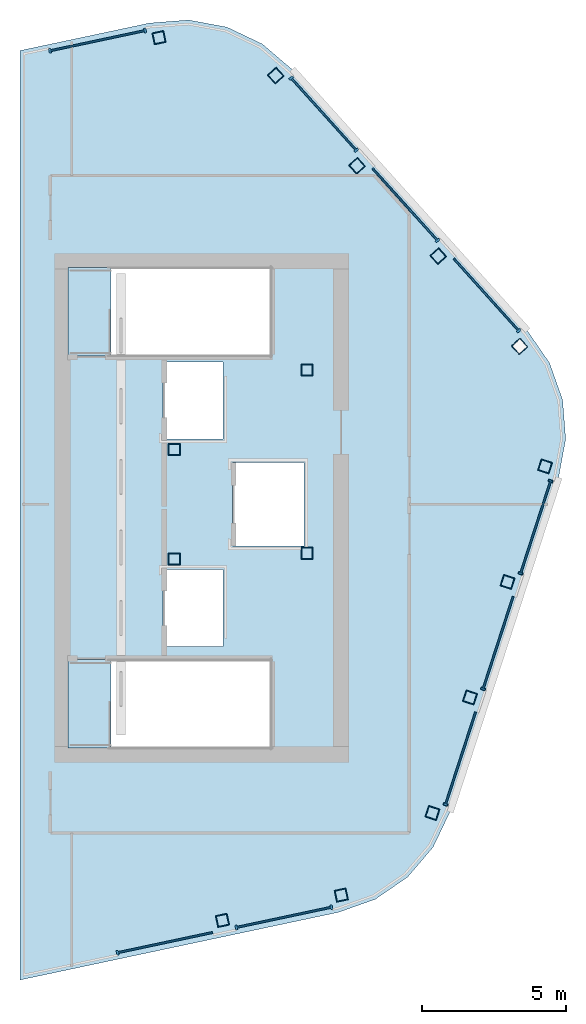
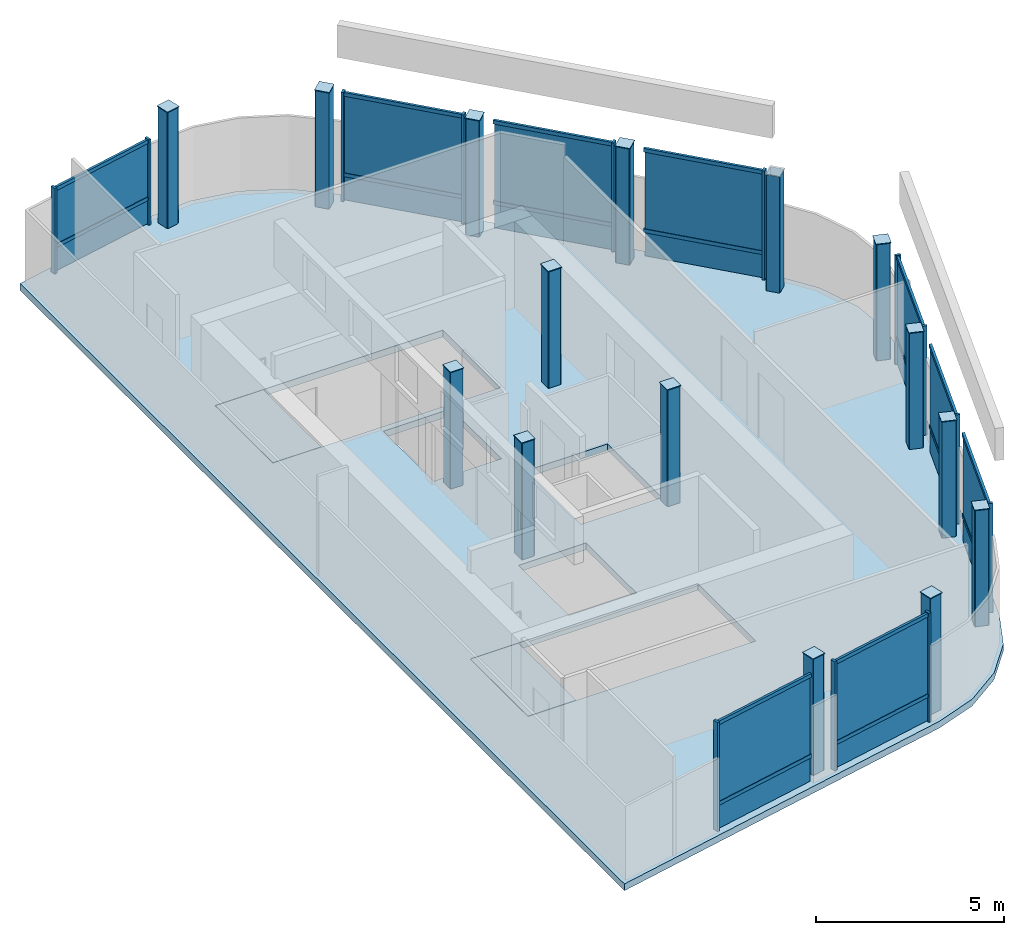
# One storey, part 1 of 3: 31 members, 23 plates, 15 columns, 3 slabs, 4 elements without a shape of their own.
"""IFC4 building model written with IfcOpenShell, lengths in metres."""

import ifcopenshell
import ifcopenshell.guid

model = None  # the IFC model being written
_history = None  # IfcOwnerHistory: only IFC2X3 demands one
_inside = {}  # id of a spatial element -> (the spatial element, [elements in it])
_under = {}  # id of a project, library or spatial element -> (it, [spatial elements below it])
_declared = {}  # id of a project -> (the project, [libraries it declares])
_typed = {}  # id of a type object -> (the type object, [elements of that type])
_made_of = {}  # id of a material, layer set ... -> (it, [elements and type objects made of it])


def new_model(schema):
    """Start an empty IFC model of exactly this schema.

    Asked for "IFC4X3", IfcOpenShell would pick the latest addendum, in which some entities
    have other attributes; the version numbers below select the first issue.
    IFC2X3 requires an IfcOwnerHistory on every rooted entity: one is made here for all.
    """
    global model, _history
    if schema == "IFC4X3":
        model = ifcopenshell.file(schema_version=(4, 3, 0, 0))
    else:
        model = ifcopenshell.file(schema=schema)
    _inside.clear()
    _under.clear()
    _declared.clear()
    _typed.clear()
    _made_of.clear()
    _history = None
    if model.schema == "IFC2X3":
        org = make("IfcOrganization", Name="unknown")
        user = make(
            "IfcPersonAndOrganization",
            ThePerson=make("IfcPerson", FamilyName="unknown"),
            TheOrganization=org,
        )
        app = make(
            "IfcApplication",
            ApplicationDeveloper=org,
            Version="unknown",
            ApplicationFullName="unknown",
            ApplicationIdentifier="unknown",
        )
        _history = make(
            "IfcOwnerHistory",
            OwningUser=user,
            OwningApplication=app,
            ChangeAction="ADDED",
            CreationDate=0,
        )
    return model


def make(cls, **values):
    """One entity of the class cls with the attributes given. An attribute that is None is left unset."""
    return model.create_entity(
        cls, **{name: value for name, value in values.items() if value is not None}
    )


def rooted(cls, **values):
    """An entity with a GlobalId (a new one), such as an element, a storey or a relation."""
    return make(cls, GlobalId=ifcopenshell.guid.new(), OwnerHistory=_history, **values)


def si_unit(unit_type, name, prefix=None):
    """IfcSIUnit, for example si_unit("LENGTHUNIT", "METRE", prefix="MILLI")."""
    return make("IfcSIUnit", UnitType=unit_type, Prefix=prefix, Name=name)


def assignment(units):
    """IfcUnitAssignment: the units of a project."""
    return None if units is None else make("IfcUnitAssignment", Units=units)


def point(xyz):
    """IfcCartesianPoint."""
    return None if xyz is None else make("IfcCartesianPoint", Coordinates=xyz)


def direction(xyz):
    """IfcDirection."""
    return None if xyz is None else make("IfcDirection", DirectionRatios=xyz)


def frame(location, z_axis=None, x_axis=None):
    """IfcAxis2Placement3D, a coordinate frame: its origin and axes. An axis left out is left unset."""
    return make(
        "IfcAxis2Placement3D",
        Location=point(location),
        Axis=direction(z_axis),
        RefDirection=direction(x_axis),
    )


def frame_2d(location, x_axis=None):
    """IfcAxis2Placement2D, a coordinate frame in the plane: its origin and x axis."""
    return make(
        "IfcAxis2Placement2D", Location=point(location), RefDirection=direction(x_axis)
    )


def origin():
    """The frame at (0, 0, 0) with its axes left unset."""
    return frame((0.0, 0.0, 0.0))


def origin_2d():
    """The frame at (0, 0) in the plane with its x axis left unset."""
    return frame_2d((0.0, 0.0))


def place(relative_to, where):
    """IfcLocalPlacement: puts the frame where relative to a parent placement (None: the world)."""
    return make(
        "IfcLocalPlacement", PlacementRelTo=relative_to, RelativePlacement=where
    )


def context(
    kind, dimensions, precision=None, world=None, true_north=None, identifier=None
):
    """IfcGeometricRepresentationContext, for example the 3D "Model" context."""
    return make(
        "IfcGeometricRepresentationContext",
        ContextIdentifier=identifier,
        ContextType=kind,
        CoordinateSpaceDimension=dimensions,
        Precision=precision,
        WorldCoordinateSystem=world,
        TrueNorth=true_north,
    )


def subcontext(parent, identifier, kind, view, scale=None):
    """IfcGeometricRepresentationSubContext, for example "Body" below "Model"."""
    return make(
        "IfcGeometricRepresentationSubContext",
        ContextIdentifier=identifier,
        ContextType=kind,
        ParentContext=parent,
        TargetScale=scale,
        TargetView=view,
    )


def project(units=None, contexts=None):
    """IfcProject with its units and contexts."""
    return rooted(
        "IfcProject",
        Name="project",
        RepresentationContexts=contexts,
        UnitsInContext=assignment(units),
    )


def spatial(cls, under=None, at=None, **own):
    """A site, building, storey or space (cls), placed at a placement, below another one or the project."""
    s = rooted(cls, ObjectPlacement=at, **own)
    if under is not None:
        _under.setdefault(under.id(), (under, []))[1].append(s)
    return s


def polyline(points):
    """IfcPolyline through the points."""
    return make("IfcPolyline", Points=[point(p) for p in points])


def profile(cls, at=None, kind="AREA", **sizes):
    """A parametric profile (cls). Its sizes go by their IFC names, for example OverallWidth=200.0."""
    return make(cls, ProfileType=kind, Position=at, **sizes)


def rectangle(**sizes):
    """IfcRectangleProfileDef."""
    return profile("IfcRectangleProfileDef", **sizes)


def hollow_rectangle(**sizes):
    """IfcRectangleHollowProfileDef."""
    return profile("IfcRectangleHollowProfileDef", **sizes)


def outline(outer, holes=None, kind="AREA"):
    """IfcArbitraryClosedProfileDef: a profile drawn as a closed curve; with holes, ...WithVoids."""
    if holes is None:
        return make("IfcArbitraryClosedProfileDef", ProfileType=kind, OuterCurve=outer)
    return make(
        "IfcArbitraryProfileDefWithVoids",
        ProfileType=kind,
        OuterCurve=outer,
        InnerCurves=holes,
    )


def extrude(swept, where, along, depth):
    """IfcExtrudedAreaSolid: the profile swept, set in the frame where, extruded along a direction by depth."""
    return make(
        "IfcExtrudedAreaSolid",
        SweptArea=swept,
        Position=where,
        ExtrudedDirection=direction(along),
        Depth=depth,
    )


def shape(context_of_items, identifier, shape_type, items):
    """IfcShapeRepresentation: the items that make up one representation, for example the "Body"."""
    return make(
        "IfcShapeRepresentation",
        ContextOfItems=context_of_items,
        RepresentationIdentifier=identifier,
        RepresentationType=shape_type,
        Items=items,
    )


def material(Name=None, Category=None):
    """IfcMaterial."""
    return make("IfcMaterial", Name=Name, Category=Category)


def layer(
    of_material, thickness, ventilated=None, Name=None, Category=None, Priority=None
):
    """IfcMaterialLayer: one layer of a wall or slab, of a material (None: an air gap)."""
    return make(
        "IfcMaterialLayer",
        Material=of_material,
        LayerThickness=thickness,
        IsVentilated=ventilated,
        Name=Name,
        Category=Category,
        Priority=Priority,
    )


def layer_set(layers, Name=None):
    """IfcMaterialLayerSet."""
    return make("IfcMaterialLayerSet", MaterialLayers=layers, LayerSetName=Name)


def material_profile(
    of_material, cross_section, Name=None, Category=None, Priority=None
):
    """IfcMaterialProfile: a cross section and its material."""
    return make(
        "IfcMaterialProfile",
        Name=Name,
        Material=of_material,
        Profile=cross_section,
        Priority=Priority,
        Category=Category,
    )


def profile_set(profiles, Name=None, composite=None):
    """IfcMaterialProfileSet."""
    return make(
        "IfcMaterialProfileSet",
        Name=Name,
        MaterialProfiles=profiles,
        CompositeProfile=composite,
    )


def made_of(thing, what):
    """Note that an element or type object is made of a material, layer set ...; save() writes the relation."""
    if what is not None:
        _made_of.setdefault(what.id(), (what, []))[1].append(thing)
    return thing


def type_object(cls, material=None, **own):
    """A type object (cls), such as IfcWallType, which elements share."""
    return made_of(rooted(cls, **own), material)


def element(
    cls,
    number,
    at=None,
    inside=None,
    cuts=None,
    type_object=None,
    material=None,
    context=None,
    identifier="Body",
    shape_type=None,
    held_by="IfcProductDefinitionShape",
    body=None,
    shapes=None,
    **own,
):
    """One element of the class cls, such as IfcWall. Its Tag is "e" and its number.

    at: its placement. inside: the storey or other place that contains it. cuts: it is an
    opening in that element (IfcRelVoidsElement). A single representation is given by context,
    identifier, shape_type and body (its items); several are given by shapes. held_by: the class
    of the entity that holds the representations. save() writes the other relations.
    """
    e = rooted(cls, Tag="e%d" % number, ObjectPlacement=at, **own)
    if body is not None:
        shapes = [shape(context, identifier, shape_type, body)]
    if shapes is not None:
        e.Representation = make(held_by, Representations=shapes)
    if inside is not None:
        _inside.setdefault(inside.id(), (inside, []))[1].append(e)
    if cuts is not None:
        rooted(
            "IfcRelVoidsElement", RelatingBuildingElement=cuts, RelatedOpeningElement=e
        )
    if type_object is not None:
        _typed.setdefault(type_object.id(), (type_object, []))[1].append(e)
    return made_of(e, material)


def aggregate(whole, parts):
    """IfcRelAggregates: a whole, such as a stair, and the parts it consists of."""
    return rooted("IfcRelAggregates", RelatingObject=whole, RelatedObjects=parts)


def save(model, path):
    """Write the relations noted so far, then the file.

    IfcRelAggregates (storeys below a building ...), IfcRelContainedInSpatialStructure (elements
    in a storey), IfcRelDefinesByType, IfcRelAssociatesMaterial and IfcRelDeclares: one each for
    every whole, place, type object, material and project.
    """
    for whole, parts in _under.values():
        aggregate(whole, parts)
    for where, things in _inside.values():
        rooted(
            "IfcRelContainedInSpatialStructure",
            RelatedElements=things,
            RelatingStructure=where,
        )
    for kind, things in _typed.values():
        rooted("IfcRelDefinesByType", RelatedObjects=things, RelatingType=kind)
    for what, things in _made_of.values():
        rooted("IfcRelAssociatesMaterial", RelatedObjects=things, RelatingMaterial=what)
    for by, libraries in _declared.values():
        rooted("IfcRelDeclares", RelatingContext=by, RelatedDefinitions=libraries)
    model.write(path)


model = new_model("IFC4")

# Units and contexts
model_context = context("Model", 3, precision=1e-05, world=origin(), true_north=direction((0.0, 1.0)))
body_context = subcontext(model_context, "Body", "Model", "MODEL_VIEW")
ifc_project = project(units=[si_unit("LENGTHUNIT", "METRE"), si_unit("AREAUNIT", "SQUARE_METRE"), si_unit("VOLUMEUNIT", "CUBIC_METRE"), si_unit("PLANEANGLEUNIT", "RADIAN"), si_unit("MASSUNIT", "GRAM", prefix="KILO")], contexts=[model_context])

# Site, building, storey
site_placement = place(None, origin())
site = spatial("IfcSite", under=ifc_project, at=site_placement, CompositionType="ELEMENT")
building_placement = place(site_placement, origin())
building = spatial("IfcBuilding", under=site, at=building_placement, Name="Valkerne Bourse Tower", CompositionType="ELEMENT")
storey_placement = place(building_placement, frame((0.0, 0.0, 334.39990234375)))
storey = spatial("IfcBuildingStorey", under=building, at=storey_placement, Name="L85", CompositionType="ELEMENT", Elevation=334.39990234375)

# Columns
ifc_material_1 = material(Name="Steel ASTM A500 Grade C", Category="steel")
ifc_material_profile_1 = material_profile(ifc_material_1, hollow_rectangle(XDim=0.39990234375, YDim=0.39990234375, WallThickness=0.01611328125, OuterFilletRadius=0.031982421875, at=origin_2d()), Name="HSS400X400X16")
ifc_profile_set_1 = profile_set([ifc_material_profile_1], Name="Steel ASTM A500 Grade C")
column_type = type_object("IfcColumnType", Name="COL-HSS400X400X16", PredefinedType="COLUMN", material=ifc_profile_set_1)
for number, where, z_axis, x_axis, name in (
    (1, (50.35009765625, 25.10009765625, 0.005126953125), (0.0, 0.0, 1.0), (1.0, 0.0, 0.0), "L85 Core Frame Column CC-CE1"),
    (2, (50.35009765625, 28.89990234375, 0.005126953125), (0.0, 0.0, 1.0), (1.0, 0.0, 0.0), "L85 Core Frame Column CC-CE2"),
    (3, (54.949951171875, 25.300048828125, 0.005126953125), (0.0, 0.0, 1.0), (1.0, 0.0, 0.0), "L85 Core Frame Column CC-SE"),
    (4, (54.949951171875, 31.64990234375, 0.005126953125), (0.0, 0.0, 1.0), (1.0, 0.0, 0.0), "L85 Core Frame Column CC-NE"),
):
    element("IfcColumn", number, at=place(storey_placement, frame(where, z_axis=z_axis, x_axis=x_axis)), inside=storey, type_object=column_type, Name=name, PredefinedType="COLUMN", context=body_context, shape_type="SweptSolid", body=[
        extrude(hollow_rectangle(XDim=0.39990234375, YDim=0.39990234375, WallThickness=0.01611328125, OuterFilletRadius=0.031982421875, at=origin_2d()), origin(), (0.0, 0.0, 1.0), 3.794921875),
    ])
for number, where, z_axis, x_axis, name in (
    (5, (49.81982421875, 43.18017578125, 0.010009765625), (0.0, 0.0, 1.0), (-0.978147600734, -0.207911690818, 0.0), "L85 Helical Perimeter Tube Column F1-C1"),
    (6, (52.02001953125, 12.5712890625, 0.010009765625), (0.0, 0.0, 1.0), (0.978147600734, 0.207911690818, 0.0), "L85 Helical Perimeter Tube Column F4-C3"),
    (7, (56.139892578125, 13.447021484375, 0.010009765625), (0.0, 0.0, 1.0), (0.978147600734, 0.207911690818, 0.0), "L85 Helical Perimeter Tube Column F4-C4"),
    (8, (59.302490234375, 16.294677734375, 0.010009765625), (0.0, 0.0, 1.0), (0.309016994375, 0.951056516295, 0.0), "L85 Helical Perimeter Tube Column F5-C1"),
    (9, (60.60400390625, 20.30029296875, 0.010009765625), (0.0, 0.0, 1.0), (0.309016994375, 0.951056516295, 0.0), "L85 Helical Perimeter Tube Column F5-C2"),
    (10, (61.90576171875, 24.306396484375, 0.010009765625), (0.0, 0.0, 1.0), (0.309016994375, 0.951056516295, 0.0), "L85 Helical Perimeter Tube Column F5-C3"),
    (11, (63.207275390625, 28.31201171875, 0.010009765625), (0.0, 0.0, 1.0), (0.309016994375, 0.951056516295, 0.0), "L85 Helical Perimeter Tube Column F5-C4"),
    (12, (62.322509765625, 32.474853515625, 0.010009765625), (0.0, 0.0, 1.0), (-0.669130606359, 0.743144825477, 0.0), "L85 Helical Perimeter Tube Column F6-C1"),
    (13, (59.504150390625, 35.60498046875, 0.010009765625), (0.0, 0.0, 1.0), (-0.669130606359, 0.743144825477, 0.0), "L85 Helical Perimeter Tube Column F6-C2"),
    (14, (56.685791015625, 38.735107421875, 0.010009765625), (0.0, 0.0, 1.0), (-0.669130606359, 0.743144825477, 0.0), "L85 Helical Perimeter Tube Column F6-C3"),
    (15, (53.8671875, 41.864990234375, 0.010009765625), (0.0, 0.0, 1.0), (-0.669130606359, 0.743144825477, 0.0), "L85 Helical Perimeter Tube Column F6-C4"),
):
    element("IfcColumn", number, at=place(storey_placement, frame(where, z_axis=z_axis, x_axis=x_axis)), inside=storey, type_object=column_type, Name=name, PredefinedType="COLUMN", context=body_context, shape_type="SweptSolid", body=[
        extrude(hollow_rectangle(XDim=0.39990234375, YDim=0.39990234375, WallThickness=0.01611328125, OuterFilletRadius=0.031982421875, at=origin_2d()), origin(), (0.0, 0.0, 1.0), 3.781005859375),
    ])

# Curtain wall, members
ifc_material_2 = material(Name="Aluminium AA 6063-T6", Category="aluminium")
ifc_layer_1 = layer(ifc_material_2, 0.25)
ifc_layer_set_1 = layer_set([ifc_layer_1], Name="Aluminium AA 6063-T6")
curtain_wall_type = type_object("IfcCurtainWallType", Name="CW-06", PredefinedType="NOTDEFINED", material=ifc_layer_set_1)
curtain_wall_1_placement = place(storey_placement, origin())
curtain_wall_1 = element("IfcCurtainWall", 16, at=curtain_wall_1_placement, inside=storey, type_object=curtain_wall_type, Name="L85 Hexagonal Stick Curtain Wall Face 1", PredefinedType="NOTDEFINED")
ifc_material_profile_2 = material_profile(ifc_material_2, rectangle(XDim=0.074951171875, YDim=0.159912109375, at=origin_2d()), Name="CWM-75X160")
ifc_profile_set_2 = profile_set([ifc_material_profile_2], Name="Aluminium AA 6063-T6")
member_type_1 = type_object("IfcMemberType", Name="CW-MUL-160X75", PredefinedType="MULLION", material=ifc_profile_set_2)
member_1_placement = place(storey_placement, frame((49.33837890625, 43.42529296875, 0.0), z_axis=(0.0, 0.0, 1.0), x_axis=(-0.978148169438, -0.207909015258, 0.0)))
member_1 = element("IfcMember", 17, at=member_1_placement, type_object=member_type_1, Name="CW-L85-F1 Jamb Mullion 00A", PredefinedType="MULLION", context=body_context, shape_type="SweptSolid", body=[
    extrude(rectangle(XDim=0.074951171875, YDim=0.159912109375, at=origin_2d()), origin(), (0.0, 0.0, 1.0), 2.787841796875),
])
member_2_placement = place(storey_placement, frame((46.0400390625, 42.724365234375, 0.0), z_axis=(0.0, 0.0, 1.0), x_axis=(-0.978148169438, -0.207909015258, 0.0)))
member_2 = element("IfcMember", 18, at=member_2_placement, type_object=member_type_1, Name="CW-L85-F1 Jamb Mullion 00B", PredefinedType="MULLION", context=body_context, shape_type="SweptSolid", body=[
    extrude(rectangle(XDim=0.074951171875, YDim=0.159912109375, at=origin_2d()), origin(), (0.0, 0.0, 1.0), 2.787841796875),
])

curtain_wall_2_placement = place(storey_placement, origin())
curtain_wall_2 = element("IfcCurtainWall", 19, at=curtain_wall_2_placement, inside=storey, type_object=curtain_wall_type, Name="L85 Hexagonal Stick Curtain Wall Face 4", PredefinedType="NOTDEFINED")
member_3_placement = place(storey_placement, frame((48.381591796875, 11.4501953125, 0.0), z_axis=(0.0, 0.0, 1.0), x_axis=(0.978149195679, 0.207904187047, 0.0)))
member_3 = element("IfcMember", 20, at=member_3_placement, type_object=member_type_1, Name="CW-L85-F4 Jamb Mullion 00A", PredefinedType="MULLION", context=body_context, shape_type="SweptSolid", body=[
    extrude(rectangle(XDim=0.074951171875, YDim=0.159912109375, at=origin_2d()), origin(), (0.0, 0.0, 1.0), 3.550048828125),
])
member_4_placement = place(storey_placement, frame((52.50146484375, 12.325927734375, 0.0), z_axis=(0.0, 0.0, 1.0), x_axis=(0.978143340877, 0.207931730858, 0.0)))
member_4 = element("IfcMember", 21, at=member_4_placement, type_object=member_type_1, Name="CW-L85-F4 Jamb Mullion 01A", PredefinedType="MULLION", context=body_context, shape_type="SweptSolid", body=[
    extrude(rectangle(XDim=0.074951171875, YDim=0.159912109375, at=origin_2d()), origin(), (0.0, 0.0, 1.0), 3.550048828125),
])
member_5_placement = place(storey_placement, frame((55.7998046875, 13.027099609375, 0.0), z_axis=(0.0, 0.0, 1.0), x_axis=(0.978143340877, 0.207931730858, 0.0)))
member_5 = element("IfcMember", 22, at=member_5_placement, type_object=member_type_1, Name="CW-L85-F4 Jamb Mullion 01B", PredefinedType="MULLION", context=body_context, shape_type="SweptSolid", body=[
    extrude(rectangle(XDim=0.074951171875, YDim=0.159912109375, at=origin_2d()), origin(), (0.0, 0.0, 1.0), 3.550048828125),
])

curtain_wall_3_placement = place(storey_placement, origin())
curtain_wall_3 = element("IfcCurtainWall", 23, at=curtain_wall_3_placement, inside=storey, type_object=curtain_wall_type, Name="L85 Hexagonal Stick Curtain Wall Face 5", PredefinedType="NOTDEFINED")
member_6_placement = place(storey_placement, frame((59.755615234375, 16.589111328125, 0.0), z_axis=(0.0, 0.0, 1.0), x_axis=(0.309024871485, 0.951053956831, 0.0)))
member_6 = element("IfcMember", 24, at=member_6_placement, type_object=member_type_1, Name="CW-L85-F5 Jamb Mullion 00A", PredefinedType="MULLION", context=body_context, shape_type="SweptSolid", body=[
    extrude(rectangle(XDim=0.074951171875, YDim=0.159912109375, at=origin_2d()), origin(), (0.0, 0.0, 1.0), 3.550048828125),
])
member_7_placement = place(storey_placement, frame((61.05712890625, 20.5947265625, 0.0), z_axis=(0.0, 0.0, 1.0), x_axis=(0.309017893895, 0.951056224023, 0.0)))
member_7 = element("IfcMember", 25, at=member_7_placement, type_object=member_type_1, Name="CW-L85-F5 Jamb Mullion 01A", PredefinedType="MULLION", context=body_context, shape_type="SweptSolid", body=[
    extrude(rectangle(XDim=0.074951171875, YDim=0.159912109375, at=origin_2d()), origin(), (0.0, 0.0, 1.0), 3.550048828125),
])
member_8_placement = place(storey_placement, frame((62.35888671875, 24.6005859375, 0.0), z_axis=(0.0, 0.0, 1.0), x_axis=(0.309003396603, 0.951060934372, 0.0)))
member_8 = element("IfcMember", 26, at=member_8_placement, type_object=member_type_1, Name="CW-L85-F5 Jamb Mullion 02A", PredefinedType="MULLION", context=body_context, shape_type="SweptSolid", body=[
    extrude(rectangle(XDim=0.074951171875, YDim=0.159912109375, at=origin_2d()), origin(), (0.0, 0.0, 1.0), 3.550048828125),
])
member_9_placement = place(storey_placement, frame((63.40087890625, 27.8076171875, 0.0), z_axis=(0.0, 0.0, 1.0), x_axis=(0.309003396603, 0.951060934372, 0.0)))
member_9 = element("IfcMember", 27, at=member_9_placement, type_object=member_type_1, Name="CW-L85-F5 Jamb Mullion 02B", PredefinedType="MULLION", context=body_context, shape_type="SweptSolid", body=[
    extrude(rectangle(XDim=0.074951171875, YDim=0.159912109375, at=origin_2d()), origin(), (0.0, 0.0, 1.0), 3.550048828125),
])

curtain_wall_4_placement = place(storey_placement, origin())
curtain_wall_4 = element("IfcCurtainWall", 28, at=curtain_wall_4_placement, inside=storey, type_object=curtain_wall_type, Name="L85 Hexagonal Stick Curtain Wall Face 6", PredefinedType="NOTDEFINED")
member_10_placement = place(storey_placement, frame((62.2939453125, 33.014404296875, 0.0), z_axis=(0.0, 0.0, 1.0), x_axis=(-0.669123434231, 0.743151283227, 0.0)))
member_10 = element("IfcMember", 29, at=member_10_placement, type_object=member_type_1, Name="CW-L85-F6 Jamb Mullion 00A", PredefinedType="MULLION", context=body_context, shape_type="SweptSolid", body=[
    extrude(rectangle(XDim=0.074951171875, YDim=0.159912109375, at=origin_2d()), origin(), (0.0, 0.0, 1.0), 3.550048828125),
])
member_11_placement = place(storey_placement, frame((59.4755859375, 36.14453125, 0.0), z_axis=(0.0, 0.0, 1.0), x_axis=(-0.669136546058, 0.743139477305, 0.0)))
member_11 = element("IfcMember", 30, at=member_11_placement, type_object=member_type_1, Name="CW-L85-F6 Jamb Mullion 01A", PredefinedType="MULLION", context=body_context, shape_type="SweptSolid", body=[
    extrude(rectangle(XDim=0.074951171875, YDim=0.159912109375, at=origin_2d()), origin(), (0.0, 0.0, 1.0), 3.550048828125),
])
member_12_placement = place(storey_placement, frame((56.6572265625, 39.274658203125, 0.0), z_axis=(0.0, 0.0, 1.0), x_axis=(-0.669136546058, 0.743139477305, 0.0)))
member_12 = element("IfcMember", 31, at=member_12_placement, type_object=member_type_1, Name="CW-L85-F6 Jamb Mullion 02A", PredefinedType="MULLION", context=body_context, shape_type="SweptSolid", body=[
    extrude(rectangle(XDim=0.074951171875, YDim=0.159912109375, at=origin_2d()), origin(), (0.0, 0.0, 1.0), 3.550048828125),
])
member_13_placement = place(storey_placement, frame((54.40087890625, 41.780517578125, 0.0), z_axis=(0.0, 0.0, 1.0), x_axis=(-0.669136546058, 0.743139477305, 0.0)))
member_13 = element("IfcMember", 32, at=member_13_placement, type_object=member_type_1, Name="CW-L85-F6 Jamb Mullion 02B", PredefinedType="MULLION", context=body_context, shape_type="SweptSolid", body=[
    extrude(rectangle(XDim=0.074951171875, YDim=0.159912109375, at=origin_2d()), origin(), (0.0, 0.0, 1.0), 3.550048828125),
])

# Member
ifc_material_profile_3 = material_profile(ifc_material_2, rectangle(XDim=0.074951171875, YDim=0.1201171875, at=origin_2d()), Name="CWT-75X120")
ifc_profile_set_3 = profile_set([ifc_material_profile_3], Name="Aluminium AA 6063-T6")
member_type_2 = type_object("IfcMemberType", Name="CW-TRN-120X75", PredefinedType="USERDEFINED", material=ifc_profile_set_3)
member_14_placement = place(storey_placement, frame((49.33837890625, 43.42529296875, 0.85009765625), z_axis=(-0.978157010782, -0.207867415097, 0.0), x_axis=(0.207867415097, -0.978157010782, 0.0)))
member_14 = element("IfcMember", 33, at=member_14_placement, type_object=member_type_2, Name="CW-L85-F1 Bay Transom 00-1", ObjectType="TRANSOM", PredefinedType="USERDEFINED", context=body_context, shape_type="SweptSolid", body=[
    extrude(rectangle(XDim=0.074951171875, YDim=0.1201171875, at=origin_2d()), origin(), (0.0, 0.0, 1.0), 3.3720703125),
])

member_15_placement = place(storey_placement, frame((49.33837890625, 43.42529296875, 2.707763671875), z_axis=(-0.978157010782, -0.207867415097, 0.0), x_axis=(0.207867415097, -0.978157010782, 0.0)))
member_15 = element("IfcMember", 34, at=member_15_placement, type_object=member_type_2, Name="CW-L85-F1 Bay Transom 00-2", ObjectType="TRANSOM", PredefinedType="USERDEFINED", context=body_context, shape_type="SweptSolid", body=[
    extrude(rectangle(XDim=0.074951171875, YDim=0.1201171875, at=origin_2d()), origin(), (0.0, 0.0, 1.0), 3.3720703125),
])

member_16_placement = place(storey_placement, frame((48.381591796875, 11.4501953125, 0.85009765625), z_axis=(0.978142287181, 0.207936687549, 0.0), x_axis=(-0.207936687549, 0.978142287181, 0.0)))
member_16 = element("IfcMember", 35, at=member_16_placement, type_object=member_type_2, Name="CW-L85-F4 Bay Transom 00-1", ObjectType="TRANSOM", PredefinedType="USERDEFINED", context=body_context, shape_type="SweptSolid", body=[
    extrude(rectangle(XDim=0.074951171875, YDim=0.1201171875, at=origin_2d()), origin(), (0.0, 0.0, 1.0), 3.3720703125),
])

member_17_placement = place(storey_placement, frame((48.381591796875, 11.4501953125, 3.47021484375), z_axis=(0.978142287181, 0.207936687549, 0.0), x_axis=(-0.207936687549, 0.978142287181, 0.0)))
member_17 = element("IfcMember", 36, at=member_17_placement, type_object=member_type_2, Name="CW-L85-F4 Bay Transom 00-2", ObjectType="TRANSOM", PredefinedType="USERDEFINED", context=body_context, shape_type="SweptSolid", body=[
    extrude(rectangle(XDim=0.074951171875, YDim=0.1201171875, at=origin_2d()), origin(), (0.0, 0.0, 1.0), 3.3720703125),
])

member_18_placement = place(storey_placement, frame((52.50146484375, 12.325927734375, 0.85009765625), z_axis=(0.978142287181, 0.207936687549, 0.0), x_axis=(-0.207936687549, 0.978142287181, 0.0)))
member_18 = element("IfcMember", 37, at=member_18_placement, type_object=member_type_2, Name="CW-L85-F4 Bay Transom 01-1", ObjectType="TRANSOM", PredefinedType="USERDEFINED", context=body_context, shape_type="SweptSolid", body=[
    extrude(rectangle(XDim=0.074951171875, YDim=0.1201171875, at=origin_2d()), origin(), (0.0, 0.0, 1.0), 3.3720703125),
])

member_19_placement = place(storey_placement, frame((52.50146484375, 12.325927734375, 3.47021484375), z_axis=(0.978142287181, 0.207936687549, 0.0), x_axis=(-0.207936687549, 0.978142287181, 0.0)))
member_19 = element("IfcMember", 38, at=member_19_placement, type_object=member_type_2, Name="CW-L85-F4 Bay Transom 01-2", ObjectType="TRANSOM", PredefinedType="USERDEFINED", context=body_context, shape_type="SweptSolid", body=[
    extrude(rectangle(XDim=0.074951171875, YDim=0.1201171875, at=origin_2d()), origin(), (0.0, 0.0, 1.0), 3.3720703125),
])

member_20_placement = place(storey_placement, frame((59.755615234375, 16.589111328125, 0.85009765625), z_axis=(0.309028769127, 0.951052690366, 0.0), x_axis=(-0.951052690366, 0.309028769127, 0.0)))
member_20 = element("IfcMember", 39, at=member_20_placement, type_object=member_type_2, Name="CW-L85-F5 Bay Transom 00-1", ObjectType="TRANSOM", PredefinedType="USERDEFINED", context=body_context, shape_type="SweptSolid", body=[
    extrude(rectangle(XDim=0.074951171875, YDim=0.1201171875, at=origin_2d()), origin(), (0.0, 0.0, 1.0), 3.371826171875),
])

member_21_placement = place(storey_placement, frame((59.755615234375, 16.589111328125, 3.47021484375), z_axis=(0.309028769127, 0.951052690366, 0.0), x_axis=(-0.951052690366, 0.309028769127, 0.0)))
member_21 = element("IfcMember", 40, at=member_21_placement, type_object=member_type_2, Name="CW-L85-F5 Bay Transom 00-2", ObjectType="TRANSOM", PredefinedType="USERDEFINED", context=body_context, shape_type="SweptSolid", body=[
    extrude(rectangle(XDim=0.074951171875, YDim=0.1201171875, at=origin_2d()), origin(), (0.0, 0.0, 1.0), 3.371826171875),
])

member_22_placement = place(storey_placement, frame((61.05712890625, 20.5947265625, 0.85009765625), z_axis=(0.309072975755, 0.951038325021, 0.0), x_axis=(-0.951038325021, 0.309072975755, 0.0)))
member_22 = element("IfcMember", 41, at=member_22_placement, type_object=member_type_2, Name="CW-L85-F5 Bay Transom 01-1", ObjectType="TRANSOM", PredefinedType="USERDEFINED", context=body_context, shape_type="SweptSolid", body=[
    extrude(rectangle(XDim=0.074951171875, YDim=0.1201171875, at=origin_2d()), origin(), (0.0, 0.0, 1.0), 3.3720703125),
])

member_23_placement = place(storey_placement, frame((61.05712890625, 20.5947265625, 3.47021484375), z_axis=(0.309072975755, 0.951038325021, 0.0), x_axis=(-0.951038325021, 0.309072975755, 0.0)))
member_23 = element("IfcMember", 42, at=member_23_placement, type_object=member_type_2, Name="CW-L85-F5 Bay Transom 01-2", ObjectType="TRANSOM", PredefinedType="USERDEFINED", context=body_context, shape_type="SweptSolid", body=[
    extrude(rectangle(XDim=0.074951171875, YDim=0.1201171875, at=origin_2d()), origin(), (0.0, 0.0, 1.0), 3.3720703125),
])

member_24_placement = place(storey_placement, frame((62.35888671875, 24.6005859375, 0.85009765625), z_axis=(0.309007490203, 0.951059604335, 0.0), x_axis=(-0.951059604335, 0.309007490203, 0.0)))
member_24 = element("IfcMember", 43, at=member_24_placement, type_object=member_type_2, Name="CW-L85-F5 Bay Transom 02-1", ObjectType="TRANSOM", PredefinedType="USERDEFINED", context=body_context, shape_type="SweptSolid", body=[
    extrude(rectangle(XDim=0.074951171875, YDim=0.1201171875, at=origin_2d()), origin(), (0.0, 0.0, 1.0), 3.3720703125),
])

member_25_placement = place(storey_placement, frame((62.35888671875, 24.6005859375, 3.47021484375), z_axis=(0.309007490203, 0.951059604335, 0.0), x_axis=(-0.951059604335, 0.309007490203, 0.0)))
member_25 = element("IfcMember", 44, at=member_25_placement, type_object=member_type_2, Name="CW-L85-F5 Bay Transom 02-2", ObjectType="TRANSOM", PredefinedType="USERDEFINED", context=body_context, shape_type="SweptSolid", body=[
    extrude(rectangle(XDim=0.074951171875, YDim=0.1201171875, at=origin_2d()), origin(), (0.0, 0.0, 1.0), 3.3720703125),
])

member_26_placement = place(storey_placement, frame((62.2939453125, 33.014404296875, 0.85009765625), z_axis=(-0.669100731061, 0.74317172423, 0.0), x_axis=(-0.74317172423, -0.669100731061, 0.0)))
member_26 = element("IfcMember", 45, at=member_26_placement, type_object=member_type_2, Name="CW-L85-F6 Bay Transom 00-1", ObjectType="TRANSOM", PredefinedType="USERDEFINED", context=body_context, shape_type="SweptSolid", body=[
    extrude(rectangle(XDim=0.074951171875, YDim=0.1201171875, at=origin_2d()), origin(), (0.0, 0.0, 1.0), 3.371826171875),
])

member_27_placement = place(storey_placement, frame((62.2939453125, 33.014404296875, 3.47021484375), z_axis=(-0.669100731061, 0.74317172423, 0.0), x_axis=(-0.74317172423, -0.669100731061, 0.0)))
member_27 = element("IfcMember", 46, at=member_27_placement, type_object=member_type_2, Name="CW-L85-F6 Bay Transom 00-2", ObjectType="TRANSOM", PredefinedType="USERDEFINED", context=body_context, shape_type="SweptSolid", body=[
    extrude(rectangle(XDim=0.074951171875, YDim=0.1201171875, at=origin_2d()), origin(), (0.0, 0.0, 1.0), 3.371826171875),
])

member_28_placement = place(storey_placement, frame((59.4755859375, 36.14453125, 0.85009765625), z_axis=(-0.669100731061, 0.74317172423, 0.0), x_axis=(-0.74317172423, -0.669100731061, 0.0)))
member_28 = element("IfcMember", 47, at=member_28_placement, type_object=member_type_2, Name="CW-L85-F6 Bay Transom 01-1", ObjectType="TRANSOM", PredefinedType="USERDEFINED", context=body_context, shape_type="SweptSolid", body=[
    extrude(rectangle(XDim=0.074951171875, YDim=0.1201171875, at=origin_2d()), origin(), (0.0, 0.0, 1.0), 3.371826171875),
])

member_29_placement = place(storey_placement, frame((59.4755859375, 36.14453125, 3.47021484375), z_axis=(-0.669100731061, 0.74317172423, 0.0), x_axis=(-0.74317172423, -0.669100731061, 0.0)))
member_29 = element("IfcMember", 48, at=member_29_placement, type_object=member_type_2, Name="CW-L85-F6 Bay Transom 01-2", ObjectType="TRANSOM", PredefinedType="USERDEFINED", context=body_context, shape_type="SweptSolid", body=[
    extrude(rectangle(XDim=0.074951171875, YDim=0.1201171875, at=origin_2d()), origin(), (0.0, 0.0, 1.0), 3.371826171875),
])

member_30_placement = place(storey_placement, frame((56.6572265625, 39.274658203125, 0.85009765625), z_axis=(-0.669140718107, 0.743135720694, 0.0), x_axis=(-0.743135720694, -0.669140718107, 0.0)))
member_30 = element("IfcMember", 49, at=member_30_placement, type_object=member_type_2, Name="CW-L85-F6 Bay Transom 02-1", ObjectType="TRANSOM", PredefinedType="USERDEFINED", context=body_context, shape_type="SweptSolid", body=[
    extrude(rectangle(XDim=0.074951171875, YDim=0.1201171875, at=origin_2d()), origin(), (0.0, 0.0, 1.0), 3.3720703125),
])

member_31_placement = place(storey_placement, frame((56.6572265625, 39.274658203125, 3.47021484375), z_axis=(-0.669140718107, 0.743135720694, 0.0), x_axis=(-0.743135720694, -0.669140718107, 0.0)))
member_31 = element("IfcMember", 50, at=member_31_placement, type_object=member_type_2, Name="CW-L85-F6 Bay Transom 02-2", ObjectType="TRANSOM", PredefinedType="USERDEFINED", context=body_context, shape_type="SweptSolid", body=[
    extrude(rectangle(XDim=0.074951171875, YDim=0.1201171875, at=origin_2d()), origin(), (0.0, 0.0, 1.0), 3.3720703125),
])

# Plate
ifc_material_3 = material(Name="Bronze Anodised Aluminium AA 6063-T6", Category="aluminium")
ifc_layer_2 = layer(ifc_material_3, 0.0400390625)
ifc_layer_set_2 = layer_set([ifc_layer_2], Name="Bronze Anodised Aluminium AA 6063-T6")
plate_type_1 = type_object("IfcPlateType", Name="CW-PNL-LOUVRE-40", PredefinedType="CURTAIN_PANEL", material=ifc_layer_set_2)
plate_1_placement = place(storey_placement, frame((47.689208984375, 43.074951171875, 0.0302734375), z_axis=(0.0, 0.0, 1.0), x_axis=(-0.978148169438, -0.207909015258, 0.0)))
plate_1 = element("IfcPlate", 51, at=plate_1_placement, type_object=plate_type_1, Name="CW-L85-F1 Curtain Panel 00", PredefinedType="CURTAIN_PANEL", context=body_context, shape_type="SweptSolid", body=[
    extrude(rectangle(XDim=3.2919921875, YDim=0.0400390625, at=origin_2d()), origin(), (0.0, 0.0, 1.0), 2.727783203125),
])

aggregate(curtain_wall_1, [member_1, member_2, member_14, member_15, plate_1])

plate_2_placement = place(storey_placement, frame((50.03076171875, 11.80078125, 0.0302734375), z_axis=(0.0, 0.0, 1.0), x_axis=(0.978149195679, 0.207904187047, 0.0)))
plate_2 = element("IfcPlate", 52, at=plate_2_placement, type_object=plate_type_1, Name="CW-L85-F4 Curtain Panel 00", PredefinedType="CURTAIN_PANEL", context=body_context, shape_type="SweptSolid", body=[
    extrude(rectangle(XDim=3.2919921875, YDim=0.0400390625, at=origin_2d()), origin(), (0.0, 0.0, 1.0), 3.489990234375),
])

plate_3_placement = place(storey_placement, frame((54.150634765625, 12.676513671875, 0.0302734375), z_axis=(0.0, 0.0, 1.0), x_axis=(0.978143340877, 0.207931730858, 0.0)))
plate_3 = element("IfcPlate", 53, at=plate_3_placement, type_object=plate_type_1, Name="CW-L85-F4 Curtain Panel 01", PredefinedType="CURTAIN_PANEL", context=body_context, shape_type="SweptSolid", body=[
    extrude(rectangle(XDim=3.2919921875, YDim=0.0400390625, at=origin_2d()), origin(), (0.0, 0.0, 1.0), 3.489990234375),
])

aggregate(curtain_wall_2, [member_3, member_16, member_17, plate_2, member_4, member_5, member_18, member_19, plate_3])

plate_4_placement = place(storey_placement, frame((60.276611328125, 18.1923828125, 0.0302734375), z_axis=(0.0, 0.0, 1.0), x_axis=(0.309024871485, 0.951053956831, 0.0)))
plate_4 = element("IfcPlate", 54, at=plate_4_placement, type_object=plate_type_1, Name="CW-L85-F5 Curtain Panel 00", PredefinedType="CURTAIN_PANEL", context=body_context, shape_type="SweptSolid", body=[
    extrude(rectangle(XDim=3.2919921875, YDim=0.0400390625, at=origin_2d()), origin(), (0.0, 0.0, 1.0), 3.489990234375),
])

plate_5_placement = place(storey_placement, frame((61.578125, 22.1982421875, 0.0302734375), z_axis=(0.0, 0.0, 1.0), x_axis=(0.309017893895, 0.951056224023, 0.0)))
plate_5 = element("IfcPlate", 55, at=plate_5_placement, type_object=plate_type_1, Name="CW-L85-F5 Curtain Panel 01", PredefinedType="CURTAIN_PANEL", context=body_context, shape_type="SweptSolid", body=[
    extrude(rectangle(XDim=3.2919921875, YDim=0.0400390625, at=origin_2d()), origin(), (0.0, 0.0, 1.0), 3.489990234375),
])

plate_6_placement = place(storey_placement, frame((62.8798828125, 26.2041015625, 0.0302734375), z_axis=(0.0, 0.0, 1.0), x_axis=(0.309003396603, 0.951060934372, 0.0)))
plate_6 = element("IfcPlate", 56, at=plate_6_placement, type_object=plate_type_1, Name="CW-L85-F5 Curtain Panel 02", PredefinedType="CURTAIN_PANEL", context=body_context, shape_type="SweptSolid", body=[
    extrude(rectangle(XDim=3.2919921875, YDim=0.0400390625, at=origin_2d()), origin(), (0.0, 0.0, 1.0), 3.489990234375),
])

aggregate(curtain_wall_3, [member_6, member_20, member_21, plate_4, member_7, member_22, member_23, plate_5, member_8, member_9, member_24, member_25, plate_6])

plate_7_placement = place(storey_placement, frame((61.166015625, 34.267333984375, 0.0302734375), z_axis=(0.0, 0.0, 1.0), x_axis=(-0.669123434231, 0.743151283227, 0.0)))
plate_7 = element("IfcPlate", 57, at=plate_7_placement, type_object=plate_type_1, Name="CW-L85-F6 Curtain Panel 00", PredefinedType="CURTAIN_PANEL", context=body_context, shape_type="SweptSolid", body=[
    extrude(rectangle(XDim=3.2919921875, YDim=0.0400390625, at=origin_2d()), origin(), (0.0, 0.0, 1.0), 3.489990234375),
])

plate_8_placement = place(storey_placement, frame((58.347412109375, 37.3974609375, 0.0302734375), z_axis=(0.0, 0.0, 1.0), x_axis=(-0.669136546058, 0.743139477305, 0.0)))
plate_8 = element("IfcPlate", 58, at=plate_8_placement, type_object=plate_type_1, Name="CW-L85-F6 Curtain Panel 01", PredefinedType="CURTAIN_PANEL", context=body_context, shape_type="SweptSolid", body=[
    extrude(rectangle(XDim=3.2919921875, YDim=0.0400390625, at=origin_2d()), origin(), (0.0, 0.0, 1.0), 3.489990234375),
])

plate_9_placement = place(storey_placement, frame((55.529296875, 40.527587890625, 0.0302734375), z_axis=(0.0, 0.0, 1.0), x_axis=(-0.669136546058, 0.743139477305, 0.0)))
plate_9 = element("IfcPlate", 59, at=plate_9_placement, type_object=plate_type_1, Name="CW-L85-F6 Curtain Panel 02", PredefinedType="CURTAIN_PANEL", context=body_context, shape_type="SweptSolid", body=[
    extrude(rectangle(XDim=3.2919921875, YDim=0.0400390625, at=origin_2d()), origin(), (0.0, 0.0, 1.0), 3.489990234375),
])

aggregate(curtain_wall_4, [member_10, member_26, member_27, plate_7, member_11, member_28, member_29, plate_8, member_12, member_13, member_30, member_31, plate_9])

# Plates
ifc_material_4 = material(Name="Steel ASTM A572 Grade 50", Category="steel")
ifc_layer_3 = layer(ifc_material_4, 0.02490234375)
ifc_layer_set_3 = layer_set([ifc_layer_3], Name="Steel ASTM A572 Grade 50")
plate_type_2 = type_object("IfcPlateType", Name="PLT-CAP-400", PredefinedType="SHEET", material=ifc_layer_set_3)
for number, where, z_axis, x_axis, name in (
    (60, (50.35009765625, 25.10009765625, 3.800048828125), (0.0, 0.0, 1.0), (1.0, 0.0, 0.0), "L85 HSS400 Column Head Cap Plate PLT-CAP400-L85-003"),
    (61, (50.35009765625, 28.89990234375, 3.800048828125), (0.0, 0.0, 1.0), (1.0, 0.0, 0.0), "L85 HSS400 Column Head Cap Plate PLT-CAP400-L85-004"),
    (62, (54.949951171875, 25.300048828125, 3.800048828125), (0.0, 0.0, 1.0), (1.0, 0.0, 0.0), "L85 HSS400 Column Head Cap Plate PLT-CAP400-L85-005"),
    (63, (54.949951171875, 31.64990234375, 3.800048828125), (0.0, 0.0, 1.0), (1.0, 0.0, 0.0), "L85 HSS400 Column Head Cap Plate PLT-CAP400-L85-006"),
    (64, (49.81982421875, 43.18017578125, 3.791259765625), (0.0, 0.0, 1.0), (-0.978147600734, -0.207911690818, 0.0), "L85 HSS400 Column Head Cap Plate PLT-CAP400-L85-020"),
    (65, (52.02001953125, 12.5712890625, 3.791259765625), (0.0, 0.0, 1.0), (0.978147600734, 0.207911690818, 0.0), "L85 HSS400 Column Head Cap Plate PLT-CAP400-L85-021"),
    (66, (56.139892578125, 13.447021484375, 3.791259765625), (0.0, 0.0, 1.0), (0.978147600734, 0.207911690818, 0.0), "L85 HSS400 Column Head Cap Plate PLT-CAP400-L85-022"),
    (67, (59.302490234375, 16.294677734375, 3.791259765625), (0.0, 0.0, 1.0), (0.309016994375, 0.951056516295, 0.0), "L85 HSS400 Column Head Cap Plate PLT-CAP400-L85-023"),
    (68, (60.60400390625, 20.30029296875, 3.791259765625), (0.0, 0.0, 1.0), (0.309016994375, 0.951056516295, 0.0), "L85 HSS400 Column Head Cap Plate PLT-CAP400-L85-024"),
    (69, (61.90576171875, 24.306396484375, 3.791259765625), (0.0, 0.0, 1.0), (0.309016994375, 0.951056516295, 0.0), "L85 HSS400 Column Head Cap Plate PLT-CAP400-L85-025"),
    (70, (63.207275390625, 28.31201171875, 3.791259765625), (0.0, 0.0, 1.0), (0.309016994375, 0.951056516295, 0.0), "L85 HSS400 Column Head Cap Plate PLT-CAP400-L85-026"),
    (71, (59.504150390625, 35.60498046875, 3.791259765625), (0.0, 0.0, 1.0), (-0.669130606359, 0.743144825477, 0.0), "L85 HSS400 Column Head Cap Plate PLT-CAP400-L85-028"),
    (72, (56.685791015625, 38.735107421875, 3.791259765625), (0.0, 0.0, 1.0), (-0.669130606359, 0.743144825477, 0.0), "L85 HSS400 Column Head Cap Plate PLT-CAP400-L85-029"),
    (73, (53.8671875, 41.864990234375, 3.791259765625), (0.0, 0.0, 1.0), (-0.669130606359, 0.743144825477, 0.0), "L85 HSS400 Column Head Cap Plate PLT-CAP400-L85-030"),
):
    element("IfcPlate", number, at=place(storey_placement, frame(where, z_axis=z_axis, x_axis=x_axis)), inside=storey, type_object=plate_type_2, Name=name, PredefinedType="SHEET", context=body_context, shape_type="SweptSolid", body=[
        extrude(rectangle(XDim=0.419921875, YDim=0.419921875, at=origin_2d()), origin(), (0.0, 0.0, 1.0), 0.02490234375),
    ])

# Slabs
ifc_material_5 = material(Name="Concrete C40/50", Category="concrete")
ifc_layer_4 = layer(ifc_material_5, 0.219970703125)
ifc_layer_set_4 = layer_set([ifc_layer_4], Name="Concrete C40/50")
slab_type_1 = type_object("IfcSlabType", Name="SLB-CRN-220", PredefinedType="FLOOR", material=ifc_layer_set_4)
slab_1_placement = place(storey_placement, frame((0.0, 0.0, -0.219970703125)))
element("IfcSlab", 74, at=slab_1_placement, inside=storey, type_object=slab_type_1, Name="L85 Crown Composite Floor Slab", PredefinedType="FLOOR", context=body_context, shape_type="SweptSolid", body=[
    extrude(outline(polyline([(49.487548828125, 43.68505859375), (50.8408203125, 43.79150390625), (52.175537109375, 43.544189453125), (53.40087890625, 42.959716796875), (54.43310546875, 42.078125), (62.593505859375, 33.01513671875), (63.3623046875, 31.896240234375), (63.8154296875, 30.61669921875), (63.921875, 29.263427734375), (63.674560546875, 27.9287109375), (59.906005859375, 16.330078125), (59.321533203125, 15.104736328125), (58.43994140625, 14.072509765625), (57.3212890625, 13.3037109375), (56.04150390625, 12.8505859375), (45.0, 10.503662109375), (45.0, 42.731201171875), (49.487548828125, 43.68505859375)]), holes=[polyline([(53.675048828125, 18.534912109375), (46.6650390625, 18.534912109375), (46.6650390625, 21.614990234375), (53.675048828125, 21.614990234375), (53.675048828125, 18.534912109375)]), polyline([(46.6650390625, 32.135009765625), (46.6650390625, 35.215087890625), (53.675048828125, 35.215087890625), (53.675048828125, 32.135009765625), (46.6650390625, 32.135009765625)]), polyline([(52.0400390625, 22.06005859375), (49.9599609375, 22.06005859375), (49.9599609375, 24.739990234375), (52.0400390625, 24.739990234375), (52.0400390625, 22.06005859375)]), polyline([(49.9599609375, 29.260009765625), (49.9599609375, 31.93994140625), (52.0400390625, 31.93994140625), (52.0400390625, 29.260009765625), (49.9599609375, 29.260009765625)]), polyline([(54.840087890625, 25.56005859375), (52.360107421875, 25.56005859375), (52.360107421875, 28.43994140625), (54.840087890625, 28.43994140625), (54.840087890625, 25.56005859375)])]), origin(), (0.0, 0.0, 1.0), 0.219970703125),
])
ifc_layer_5 = layer(ifc_material_5, 0.25)
ifc_layer_set_5 = layer_set([ifc_layer_5], Name="Concrete C40/50")
slab_type_2 = type_object("IfcSlabType", Name="SLB-RMP-LND-250", PredefinedType="LANDING", material=ifc_layer_set_5)
slab_2_placement = place(storey_placement, frame((0.0, 0.0, -0.219970703125)))
element("IfcSlab", 75, at=slab_2_placement, inside=storey, type_object=slab_type_2, Name="L85 ST-1 Floor Landing Slab", PredefinedType="LANDING", context=body_context, shape_type="SweptSolid", body=[
    extrude(outline(polyline([(46.669921875, 18.5400390625), (48.14990234375, 18.5400390625), (48.14990234375, 21.610107421875), (46.669921875, 21.610107421875), (46.669921875, 18.5400390625)])), origin(), (0.0, 0.0, 1.0), 0.219970703125),
])
slab_3_placement = place(storey_placement, frame((0.0, 0.0, -0.219970703125)))
element("IfcSlab", 76, at=slab_3_placement, inside=storey, type_object=slab_type_2, Name="L85 ST-2 Floor Landing Slab", PredefinedType="LANDING", context=body_context, shape_type="SweptSolid", body=[
    extrude(outline(polyline([(46.669921875, 32.139892578125), (48.14990234375, 32.139892578125), (48.14990234375, 35.2099609375), (46.669921875, 35.2099609375), (46.669921875, 32.139892578125)])), origin(), (0.0, 0.0, 1.0), 0.219970703125),
])

save(model, "model.ifc")
